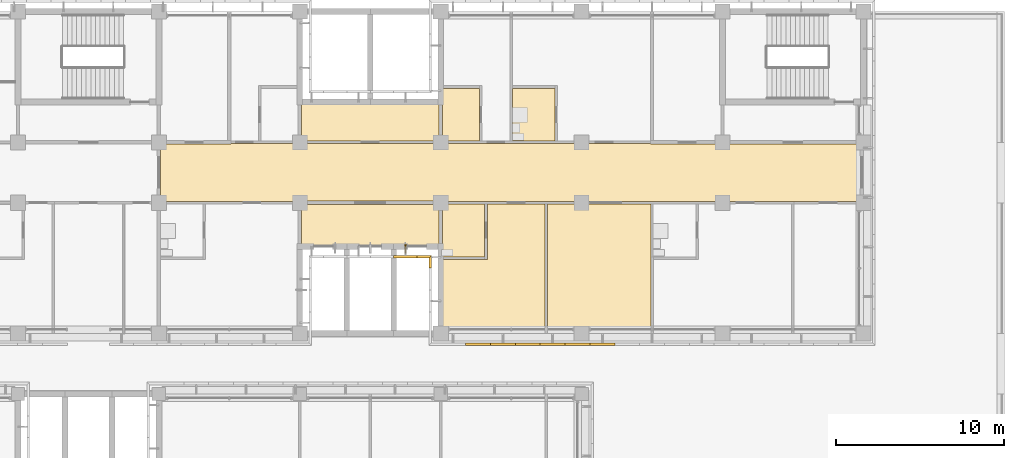
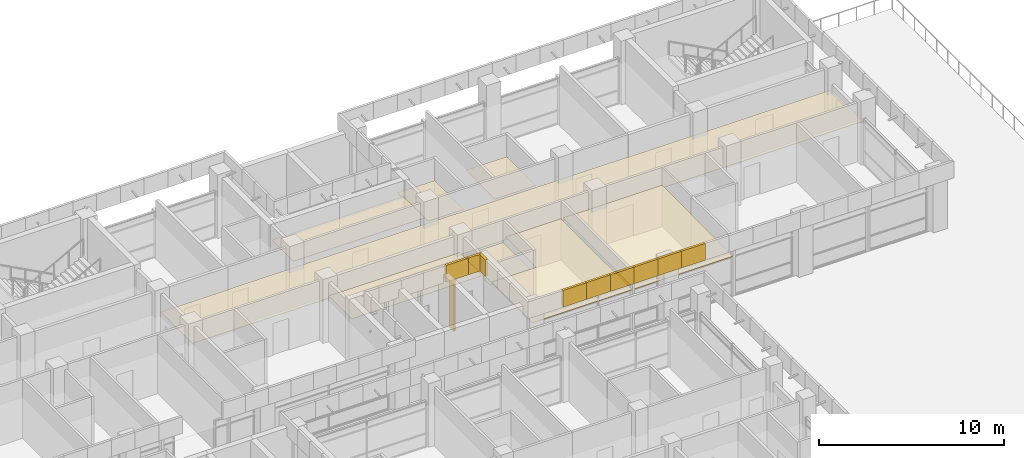
# One storey, part 131 of 137: 17 coverings, 1 shading device.
"""IFC4 building model written with IfcOpenShell, lengths in metres."""

from ifc_helpers import new_model, si_unit, direction, frame, origin, origin_2d, place, context, subcontext, project, spatial, polyline, rectangle, outline, extrude, material, layer, layer_set, material_profile, profile_set, type_object, element, save


model = new_model("IFC4")

# Units and contexts
model_context = context("Model", 3, precision=1e-05, world=origin(), true_north=direction((0.0, 1.0)))
body_context = subcontext(model_context, "Body", "Model", "MODEL_VIEW")
ifc_project = project(units=[si_unit("LENGTHUNIT", "METRE"), si_unit("AREAUNIT", "SQUARE_METRE"), si_unit("VOLUMEUNIT", "CUBIC_METRE"), si_unit("PLANEANGLEUNIT", "RADIAN"), si_unit("MASSUNIT", "GRAM", prefix="KILO")], contexts=[model_context])

# Site, building, storey
site_placement = place(None, origin())
site = spatial("IfcSite", under=ifc_project, at=site_placement, CompositionType="ELEMENT")
building_placement = place(site_placement, origin())
building = spatial("IfcBuilding", under=site, at=building_placement, Name="Bougainvillea Quay General Hospital", CompositionType="ELEMENT")
storey_placement = place(building_placement, frame((0.0, 0.0, 16.800048828125)))
storey = spatial("IfcBuildingStorey", under=building, at=storey_placement, Name="L03", CompositionType="ELEMENT", Elevation=16.800048828125)

# Coverings
ifc_material_1 = material(Name="Powder-coated aluminium fascia, white", Category="aluminium")
ifc_layer_1 = layer(ifc_material_1, 0.14990234375)
ifc_layer_set_1 = layer_set([ifc_layer_1], Name="Powder-coated aluminium fascia, white")
covering_type_1 = type_object("IfcCoveringType", Name="Aluminium fascia band white 150x1100", PredefinedType="CLADDING", material=ifc_layer_set_1)
covering_1_placement = place(storey_placement, frame((156.800048828125, 145.050048828125, 3.64990234375), z_axis=(0.0, 0.0, 1.0), x_axis=(1.0, 0.0, 0.0)))
element("IfcCovering", 1, at=covering_1_placement, inside=storey, type_object=covering_type_1, Name="Fascia band white e0 17", PredefinedType="CLADDING", context=body_context, shape_type="SweptSolid", body=[
    extrude(outline(polyline([(0.0, 0.0), (1.39990234375, 0.0), (1.39990234375, -0.150146484375), (0.0, -0.150146484375), (0.0, 0.0)])), origin(), (0.0, 0.0, 1.0), 1.10009765625),
])
covering_2_placement = place(storey_placement, frame((158.199951171875, 145.050048828125, 3.64990234375), z_axis=(0.0, 0.0, 1.0), x_axis=(1.0, 0.0, 0.0)))
element("IfcCovering", 2, at=covering_2_placement, inside=storey, type_object=covering_type_1, Name="Fascia band white e0 18", PredefinedType="CLADDING", context=body_context, shape_type="SweptSolid", body=[
    extrude(outline(polyline([(0.0, 0.0), (0.85009765625, 0.0), (0.699951171875, -0.150146484375), (0.0, -0.150146484375), (0.0, 0.0)])), origin(), (0.0, 0.0, 1.0), 1.10009765625),
])
covering_3_placement = place(storey_placement, frame((159.050048828125, 145.050048828125, 3.64990234375), z_axis=(0.0, 0.0, 1.0), x_axis=(0.0, -1.0, 0.0)))
element("IfcCovering", 3, at=covering_3_placement, inside=storey, type_object=covering_type_1, Name="Fascia band white e0 19", PredefinedType="CLADDING", context=body_context, shape_type="SweptSolid", body=[
    extrude(outline(polyline([(0.0, 0.0), (0.75, 0.0), (0.75, -0.150146484375), (0.150146484375, -0.150146484375), (0.0, 0.0)])), origin(), (0.0, 0.0, 1.0), 1.10009765625),
])
for number, where, z_axis, x_axis, name in (
    (4, (161.082275390625, 139.85009765625, 3.64990234375), (0.0, 0.0, 1.0), (1.0, 0.0, 0.0), "Fascia band white e0 24"),
    (5, (162.564697265625, 139.85009765625, 3.64990234375), (0.0, 0.0, 1.0), (1.0, 0.0, 0.0), "Fascia band white e0 25"),
):
    element("IfcCovering", number, at=place(storey_placement, frame(where, z_axis=z_axis, x_axis=x_axis)), inside=storey, type_object=covering_type_1, Name=name, PredefinedType="CLADDING", context=body_context, shape_type="SweptSolid", body=[
        extrude(outline(polyline([(0.0, 0.0), (1.482421875, 0.0), (1.482421875, -0.150146484375), (0.0, -0.150146484375), (0.0, 0.0)])), origin(), (0.0, 0.0, 1.0), 1.10009765625),
    ])
covering_4_placement = place(storey_placement, frame((164.047119140625, 139.85009765625, 3.64990234375), z_axis=(0.0, 0.0, 1.0), x_axis=(1.0, 0.0, 0.0)))
element("IfcCovering", 6, at=covering_4_placement, inside=storey, type_object=covering_type_1, Name="Fascia band white e0 26", PredefinedType="CLADDING", context=body_context, shape_type="SweptSolid", body=[
    extrude(outline(polyline([(0.0, 0.0), (1.482177734375, 0.0), (1.482177734375, -0.150146484375), (0.0, -0.150146484375), (0.0, 0.0)])), origin(), (0.0, 0.0, 1.0), 1.10009765625),
])
for number, where, z_axis, x_axis, name in (
    (7, (165.529296875, 139.85009765625, 3.64990234375), (0.0, 0.0, 1.0), (1.0, 0.0, 0.0), "Fascia band white e0 27"),
    (8, (167.01171875, 139.85009765625, 3.64990234375), (0.0, 0.0, 1.0), (1.0, 0.0, 0.0), "Fascia band white e0 28"),
    (9, (168.494140625, 139.85009765625, 3.64990234375), (0.0, 0.0, 1.0), (1.0, 0.0, 0.0), "Fascia band white e0 29"),
):
    element("IfcCovering", number, at=place(storey_placement, frame(where, z_axis=z_axis, x_axis=x_axis)), inside=storey, type_object=covering_type_1, Name=name, PredefinedType="CLADDING", context=body_context, shape_type="SweptSolid", body=[
        extrude(outline(polyline([(0.0, 0.0), (1.482421875, 0.0), (1.482421875, -0.150146484375), (0.0, -0.150146484375), (0.0, 0.0)])), origin(), (0.0, 0.0, 1.0), 1.10009765625),
    ])
ifc_material_2 = material(Name="Mineral fibre ceiling tile")
ifc_layer_2 = layer(ifc_material_2, 0.030029296875)
ifc_layer_set_2 = layer_set([ifc_layer_2], Name="Mineral fibre ceiling tile")
covering_type_2 = type_object("IfcCoveringType", Name="Suspended ceiling mineral fibre tile", PredefinedType="CEILING", material=ifc_layer_set_2)
covering_5_placement = place(storey_placement, frame((0.0, 0.0, 2.699951171875)))
element("IfcCovering", 10, at=covering_5_placement, inside=storey, type_object=covering_type_2, Name="Ceiling Lift Lobby LB-A2 (Fire-fighting)", PredefinedType="CEILING", context=body_context, shape_type="SweptSolid", body=[
    extrude(outline(polyline([(159.5, 145.60009765625), (159.5, 148.10009765625), (151.300048828125, 148.10009765625), (151.300048828125, 145.60009765625), (159.5, 145.60009765625)])), origin(), (0.0, 0.0, 1.0), 0.030029296875),
])
covering_6_placement = place(storey_placement, frame((0.0, 0.0, 2.699951171875)))
element("IfcCovering", 11, at=covering_6_placement, inside=storey, type_object=covering_type_2, Name="Ceiling Special Care Baby Room 03A31", PredefinedType="CEILING", context=body_context, shape_type="SweptSolid", body=[
    extrude(outline(polyline([(165.824951171875, 140.39990234375), (165.824951171875, 148.125), (162.375, 148.125), (162.375, 144.824951171875), (159.60009765625, 144.824951171875), (159.60009765625, 140.39990234375), (165.824951171875, 140.39990234375)])), origin(), (0.0, 0.0, 1.0), 0.030029296875),
])
covering_7_placement = place(storey_placement, frame((0.0, 0.0, 2.39990234375)))
element("IfcCovering", 12, at=covering_7_placement, inside=storey, type_object=covering_type_2, Name="Ceiling En-suite 03A31", PredefinedType="CEILING", context=body_context, shape_type="SweptSolid", body=[
    extrude(outline(polyline([(159.60009765625, 144.97509765625), (162.22509765625, 144.97509765625), (162.22509765625, 148.125), (159.699951171875, 148.125), (159.699951171875, 145.60009765625), (159.60009765625, 145.60009765625), (159.60009765625, 144.97509765625)])), origin(), (0.0, 0.0, 1.0), 0.030029296875),
])
covering_8_placement = place(storey_placement, frame((0.0, 0.0, 2.699951171875)))
element("IfcCovering", 13, at=covering_8_placement, inside=storey, type_object=covering_type_2, Name="Ceiling Nurses' Station 03A32", PredefinedType="CEILING", context=body_context, shape_type="SweptSolid", body=[
    extrude(outline(polyline([(172.125, 140.39990234375), (172.125, 144.97509765625), (172.14990234375, 144.97509765625), (172.14990234375, 148.125), (165.97509765625, 148.125), (165.97509765625, 140.39990234375), (172.125, 140.39990234375)])), origin(), (0.0, 0.0, 1.0), 0.030029296875),
])
covering_9_placement = place(storey_placement, frame((0.0, 0.0, 2.39990234375)))
element("IfcCovering", 14, at=covering_9_placement, inside=storey, type_object=covering_type_2, Name="Ceiling En-suite 03A35", PredefinedType="CEILING", context=body_context, shape_type="SweptSolid", body=[
    extrude(outline(polyline([(159.60009765625, 154.199951171875), (159.699951171875, 154.199951171875), (159.699951171875, 151.875), (161.925048828125, 151.875), (161.925048828125, 155.02490234375), (159.60009765625, 155.02490234375), (159.60009765625, 154.199951171875)])), origin(), (0.0, 0.0, 1.0), 0.030029296875),
])
covering_10_placement = place(storey_placement, frame((0.0, 0.0, 2.39990234375)))
element("IfcCovering", 15, at=covering_10_placement, inside=storey, type_object=covering_type_2, Name="Ceiling En-suite 03A36", PredefinedType="CEILING", context=body_context, shape_type="SweptSolid", body=[
    extrude(outline(polyline([(163.875, 155.02490234375), (163.875, 151.875), (166.425048828125, 151.875), (166.425048828125, 155.02490234375), (163.875, 155.02490234375)])), origin(), (0.0, 0.0, 1.0), 0.030029296875),
])
covering_11_placement = place(storey_placement, frame((0.0, 0.0, 2.39990234375)))
element("IfcCovering", 16, at=covering_11_placement, inside=storey, type_object=covering_type_2, Name="Ceiling Ward Corridor A4", PredefinedType="CEILING", context=body_context, shape_type="SweptSolid", body=[
    extrude(outline(polyline([(184.800048828125, 151.699951171875), (172.10009765625, 151.699951171875), (172.10009765625, 151.72509765625), (147.10009765625, 151.72509765625), (147.10009765625, 151.699951171875), (142.89990234375, 151.699951171875), (142.89990234375, 148.27490234375), (151.10009765625, 148.27490234375), (151.10009765625, 148.300048828125), (159.699951171875, 148.300048828125), (159.699951171875, 148.27490234375), (184.800048828125, 148.27490234375), (184.800048828125, 151.699951171875)])), origin(), (0.0, 0.0, 1.0), 0.030029296875),
])
covering_12_placement = place(storey_placement, frame((0.0, 0.0, 2.699951171875)))
element("IfcCovering", 17, at=covering_12_placement, inside=storey, type_object=covering_type_2, Name="Ceiling Lift Machine Room A1", PredefinedType="CEILING", context=body_context, shape_type="SweptSolid", body=[
    extrude(outline(polyline([(151.300048828125, 154.199951171875), (151.300048828125, 151.875), (159.5, 151.875), (159.5, 154.199951171875), (151.300048828125, 154.199951171875)])), origin(), (0.0, 0.0, 1.0), 0.030029296875),
])

# Shading device
ifc_material_3 = material(Name="Powder-coated aluminium fin, white", Category="aluminium")
ifc_material_profile = material_profile(ifc_material_3, rectangle(XDim=0.550048828125, YDim=0.10009765625, at=origin_2d()))
ifc_profile_set = profile_set([ifc_material_profile], Name="Powder-coated aluminium fin, white")
shading_device_type = type_object("IfcShadingDeviceType", Name="Vertical fin 550x100", PredefinedType="USERDEFINED", material=ifc_profile_set)
shading_device_placement = place(storey_placement, frame((157.5, 145.455078125, 0.0), z_axis=(0.0, 0.0, 1.0), x_axis=(0.0, -1.0, 0.0)))
element("IfcShadingDevice", 18, at=shading_device_placement, inside=storey, type_object=shading_device_type, Name="Vertical fin V5A L03 02.1", ObjectType="Vertical fin", PredefinedType="USERDEFINED", context=body_context, shape_type="SweptSolid", body=[
    extrude(rectangle(XDim=0.550048828125, YDim=0.10009765625, at=origin_2d()), origin(), (0.0, 0.0, 1.0), 3.6298828125),
])

save(model, "model.ifc")
